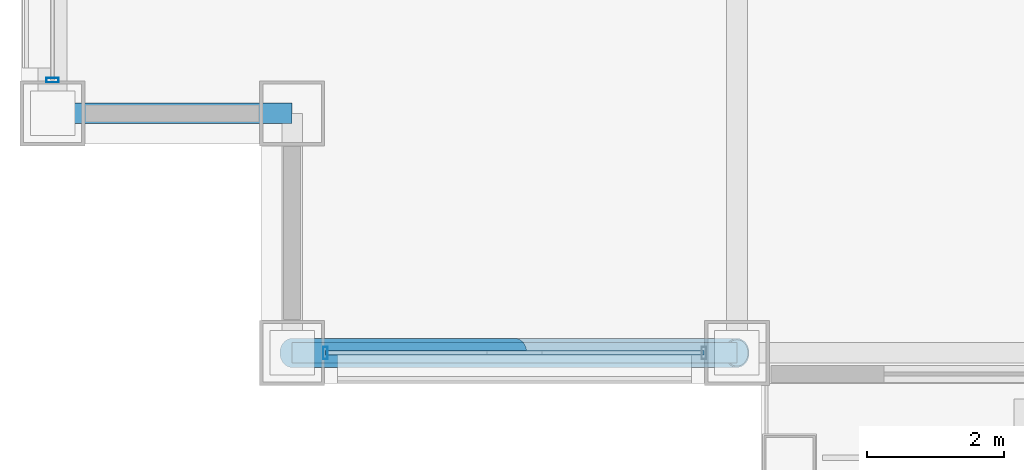
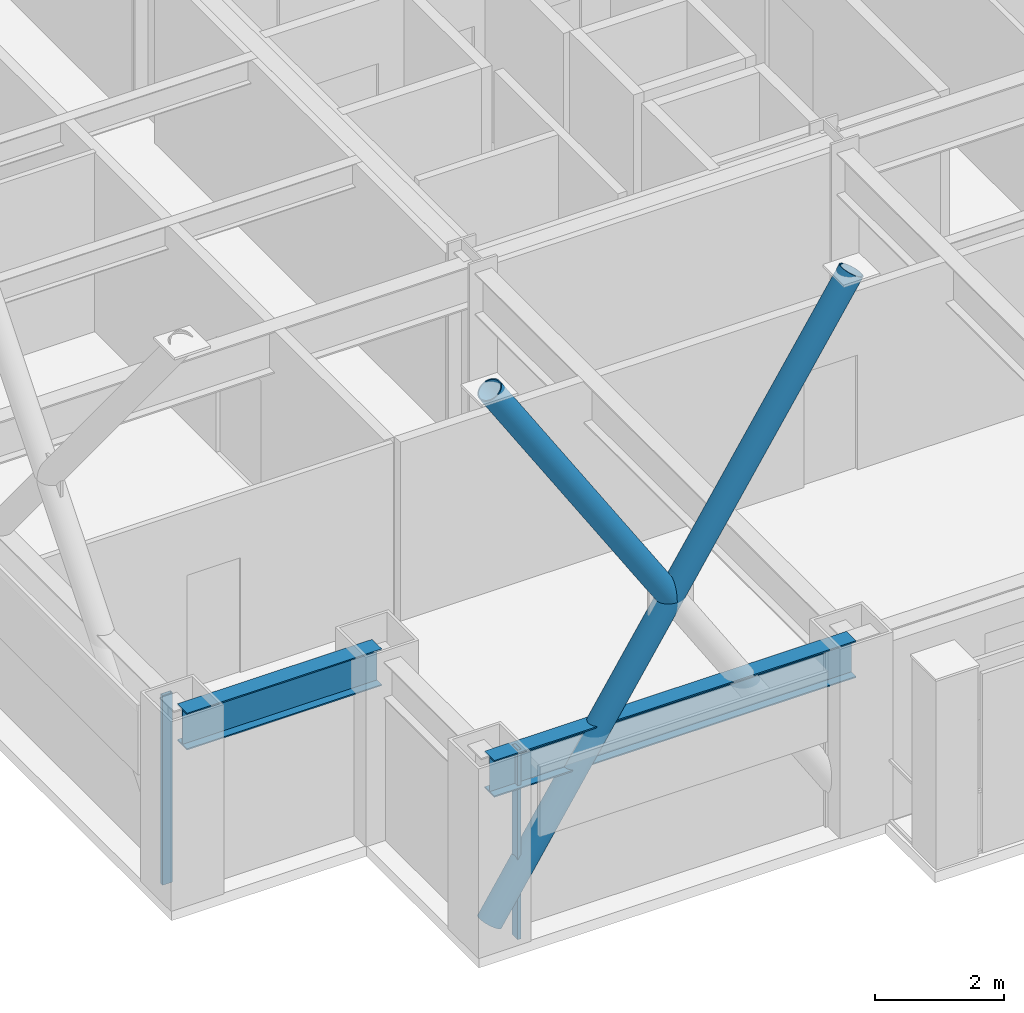
# One storey, part 2 of 33: 5 members, 2 beams, 2 elements without a shape of their own.
"""IFC4 building model written with IfcOpenShell, lengths in metres."""

from ifc_helpers import new_model, si_unit, direction, frame, origin, origin_2d, place, context, subcontext, project, spatial, hollow_rectangle, hollow_circle, i_section, extrude, material, layer, layer_set, material_profile, profile_set, type_object, element, aggregate, save


model = new_model("IFC4")

# Units and contexts
model_context = context("Model", 3, precision=1e-05, world=origin(), true_north=direction((0.0, 1.0)))
body_context = subcontext(model_context, "Body", "Model", "MODEL_VIEW")
ifc_project = project(units=[si_unit("LENGTHUNIT", "METRE"), si_unit("AREAUNIT", "SQUARE_METRE"), si_unit("VOLUMEUNIT", "CUBIC_METRE"), si_unit("PLANEANGLEUNIT", "RADIAN"), si_unit("MASSUNIT", "GRAM", prefix="KILO")], contexts=[model_context])

# Site, building, storey
site_placement = place(None, origin())
site = spatial("IfcSite", under=ifc_project, at=site_placement, CompositionType="ELEMENT")
building_placement = place(site_placement, origin())
building = spatial("IfcBuilding", under=site, at=building_placement, Name="Brelmoor Portico Tower", CompositionType="ELEMENT")
storey_placement = place(building_placement, frame((0.0, 0.0, 34.800048828125)))
storey = spatial("IfcBuildingStorey", under=building, at=storey_placement, Name="L08", CompositionType="ELEMENT", Elevation=34.800048828125)

# Beams
ifc_material_1 = material(Name="Steel Q355B", Category="steel")
ifc_material_profile_1 = material_profile(ifc_material_1, i_section(OverallWidth=0.300048828125, OverallDepth=0.699951171875, WebThickness=0.012939453125, FlangeThickness=0.02392578125, at=origin_2d()), Name="HN 700x300x13x24")
ifc_profile_set_1 = profile_set([ifc_material_profile_1], Name="Steel Q355B")
beam_type = type_object("IfcBeamType", Name="BM-SP-700", PredefinedType="SPANDREL", material=ifc_profile_set_1)
beam_1_placement = place(storey_placement, frame((-21.050048828125, -21.550048828125, 3.050048828125), z_axis=(1.0, 0.0, 0.0), x_axis=(0.0, 1.0, 0.0)))
element("IfcBeam", 1, at=beam_1_placement, inside=storey, type_object=beam_type, Name="L08 Perimeter Spandrel Beam SP-01", PredefinedType="SPANDREL", context=body_context, shape_type="SweptSolid", body=[
    extrude(i_section(OverallWidth=0.300048828125, OverallDepth=0.699951171875, WebThickness=0.012939453125, FlangeThickness=0.02392578125, at=origin_2d()), origin(), (0.0, 0.0, 1.0), 6.5),
])
beam_2_placement = place(storey_placement, frame((-24.550048828125, -18.050048828125, 3.050048828125), z_axis=(1.0, 0.0, 0.0), x_axis=(0.0, 1.0, 0.0)))
element("IfcBeam", 2, at=beam_2_placement, inside=storey, type_object=beam_type, Name="L08 Perimeter Spandrel Beam SP-06", PredefinedType="SPANDREL", context=body_context, shape_type="SweptSolid", body=[
    extrude(i_section(OverallWidth=0.300048828125, OverallDepth=0.699951171875, WebThickness=0.012939453125, FlangeThickness=0.02392578125, at=origin_2d()), origin(), (0.0, 0.0, 1.0), 3.5),
])

# Members
ifc_material_profile_2 = material_profile(ifc_material_1, hollow_circle(Radius=0.212890625, WallThickness=0.02001953125, at=origin_2d()), Name="CHS 426x20")
ifc_profile_set_2 = profile_set([ifc_material_profile_2], Name="Steel Q355B")
member_type_1 = type_object("IfcMemberType", Name="MB-BELT-DIAG1", PredefinedType="BRACE", material=ifc_profile_set_2)
member_1_placement = place(storey_placement, frame((-21.050048828125, -21.550048828125, 0.25), z_axis=(0.541183873462, 0.0, 0.840904284152), x_axis=(0.0, 1.0, 0.0)))
element("IfcMember", 3, at=member_1_placement, inside=storey, type_object=member_type_1, Name="L08 Continuous Mega-X Brace 009A", PredefinedType="BRACE", context=body_context, shape_type="SweptSolid", body=[
    extrude(hollow_circle(Radius=0.212890625, WallThickness=0.02001953125, at=origin_2d()), origin(), (0.0, 0.0, 1.0), 12.0107421875),
])
member_2_placement = place(storey_placement, frame((-17.800048828125, -21.550048828125, 5.300048828125), z_axis=(-0.541193124039, 0.0, 0.840898330651), x_axis=(0.0, -1.0, 0.0)))
element("IfcMember", 4, at=member_2_placement, inside=storey, type_object=member_type_1, Name="L08 Split Mega-X Brace 009B2", PredefinedType="BRACE", context=body_context, shape_type="SweptSolid", body=[
    extrude(hollow_circle(Radius=0.212890625, WallThickness=0.02001953125, at=origin_2d()), origin(), (0.0, 0.0, 1.0), 6.00537109375),
])

# Curtain wall, member
ifc_material_2 = material(Name="Anodised Aluminium Alloy 6063-T6", Category="aluminium")
ifc_layer = layer(ifc_material_2, 0.179931640625)
ifc_layer_set = layer_set([ifc_layer], Name="Anodised Aluminium Alloy 6063-T6")
curtain_wall_type = type_object("IfcCurtainWallType", Name="CW-TOWER-Z1-XB", PredefinedType="NOTDEFINED", material=ifc_layer_set)
curtain_wall_1_placement = place(storey_placement, origin())
curtain_wall_1 = element("IfcCurtainWall", 5, at=curtain_wall_1_placement, inside=storey, type_object=curtain_wall_type, Name="L08 Curtain Wall CW-L08-1L", PredefinedType="NOTDEFINED")
ifc_material_profile_3 = material_profile(ifc_material_2, hollow_rectangle(XDim=0.06494140625, YDim=0.179931640625, WallThickness=0.00390625, at=origin_2d()), Name="ALU MULLION 65x180")
ifc_profile_set_3 = profile_set([ifc_material_profile_3], Name="Anodised Aluminium Alloy 6063-T6")
member_type_2 = type_object("IfcMemberType", Name="MB-CW-MULL-180", PredefinedType="MULLION", material=ifc_profile_set_3)
member_3_placement = place(storey_placement, frame((-20.56494140625, -21.550048828125, -0.199951171875), z_axis=(0.0, 0.0, 1.0), x_axis=(1.0, 0.0, 0.0)))
member_3 = element("IfcMember", 6, at=member_3_placement, type_object=member_type_2, Name="CW-L08-1L Mullion 00", PredefinedType="MULLION", context=body_context, shape_type="SweptSolid", body=[
    extrude(hollow_rectangle(XDim=0.06494140625, YDim=0.179931640625, WallThickness=0.00390625, at=origin_2d()), origin(), (0.0, 0.0, 1.0), 3.599853515625),
])

curtain_wall_2_placement = place(storey_placement, origin())
curtain_wall_2 = element("IfcCurtainWall", 7, at=curtain_wall_2_placement, inside=storey, type_object=curtain_wall_type, Name="L08 Curtain Wall CW-L08-03-1", PredefinedType="NOTDEFINED")
member_4_placement = place(storey_placement, frame((-24.550048828125, -17.56494140625, -0.199951171875), z_axis=(0.0, 0.0, 1.0), x_axis=(0.0, 1.0, 0.0)))
member_4 = element("IfcMember", 8, at=member_4_placement, type_object=member_type_2, Name="CW-L08-03-1 Mullion 00", PredefinedType="MULLION", context=body_context, shape_type="SweptSolid", body=[
    extrude(hollow_rectangle(XDim=0.06494140625, YDim=0.179931640625, WallThickness=0.00390625, at=origin_2d()), origin(), (0.0, 0.0, 1.0), 3.599853515625),
])
aggregate(curtain_wall_2, [member_4])

# Member
ifc_material_profile_4 = material_profile(ifc_material_2, hollow_rectangle(XDim=0.06494140625, YDim=0.139892578125, WallThickness=0.00390625, at=origin_2d()), Name="ALU TRANSOM 65x140")
ifc_profile_set_4 = profile_set([ifc_material_profile_4], Name="Anodised Aluminium Alloy 6063-T6")
member_type_3 = type_object("IfcMemberType", Name="MB-CW-TRAN-140", PredefinedType="USERDEFINED", material=ifc_profile_set_4)
member_5_placement = place(storey_placement, frame((-20.56494140625, -21.550048828125, 3.329833984375), z_axis=(1.0, 0.0, 0.0), x_axis=(0.0, 1.0, 0.0)))
member_5 = element("IfcMember", 9, at=member_5_placement, type_object=member_type_3, Name="CW-L08-1L Transom 1-00", ObjectType="TRANSOM", PredefinedType="USERDEFINED", context=body_context, shape_type="SweptSolid", body=[
    extrude(hollow_rectangle(XDim=0.06494140625, YDim=0.139892578125, WallThickness=0.00390625, at=origin_2d()), origin(), (0.0, 0.0, 1.0), 5.530029296875),
])

aggregate(curtain_wall_1, [member_3, member_5])

save(model, "model.ifc")
